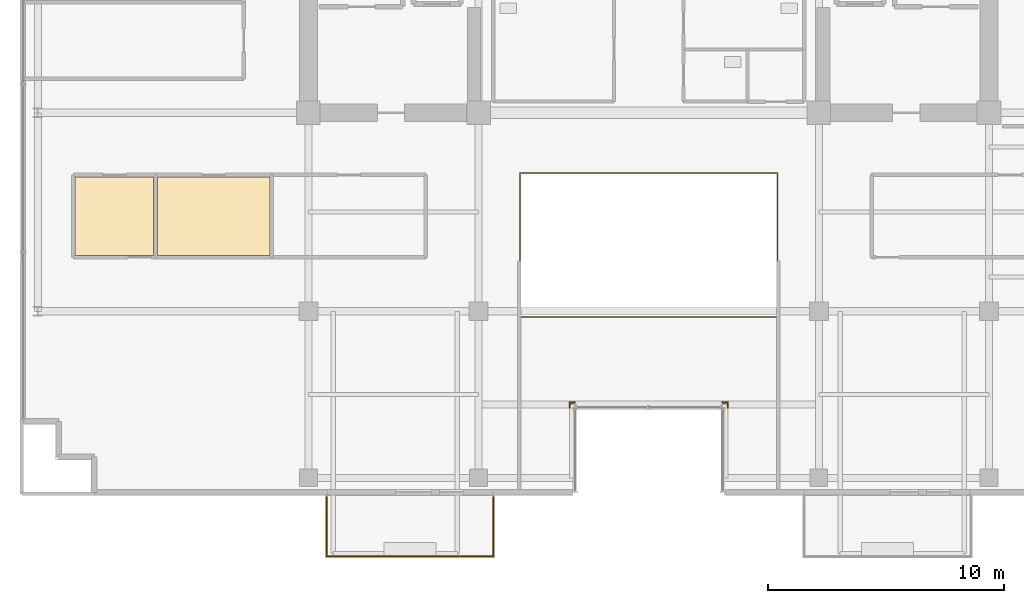
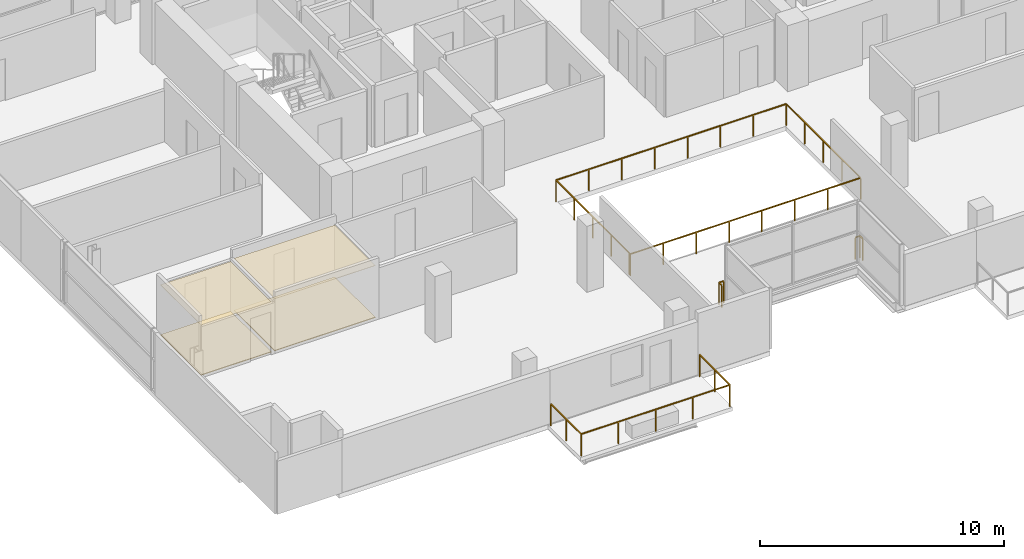
# One storey, part 22 of 25: 6 railings, 4 coverings.
"""IFC4 building model written with IfcOpenShell, lengths in metres."""

from ifc_helpers import new_model, si_unit, direction, frame, origin, origin_2d, place, context, subcontext, project, spatial, polyline, rectangle, outline, extrude, material, layer, layer_set, type_object, element, save


model = new_model("IFC4")

# Units and contexts
model_context = context("Model", 3, precision=1e-05, world=origin(), true_north=direction((0.0, 1.0)))
body_context = subcontext(model_context, "Body", "Model", "MODEL_VIEW")
ifc_project = project(units=[si_unit("LENGTHUNIT", "METRE"), si_unit("AREAUNIT", "SQUARE_METRE"), si_unit("VOLUMEUNIT", "CUBIC_METRE"), si_unit("PLANEANGLEUNIT", "RADIAN"), si_unit("MASSUNIT", "GRAM", prefix="KILO")], contexts=[model_context])

# Site, building, storey
site_placement = place(None, origin())
site = spatial("IfcSite", under=ifc_project, at=site_placement, CompositionType="ELEMENT")
building_placement = place(site_placement, origin())
building = spatial("IfcBuilding", under=site, at=building_placement, Name="Zarnakvel Exchange Tower", CompositionType="ELEMENT")
storey_placement = place(building_placement, frame((0.0, 0.0, 169.300048828125)))
storey = spatial("IfcBuildingStorey", under=building, at=storey_placement, Name="L47", CompositionType="ELEMENT", Elevation=169.300048828125)

# Coverings
ifc_material_1 = material(Name="Perforated Bronze Acoustic Metal Ceiling", Category="aluminium")
ifc_layer_1 = layer(ifc_material_1, 0.02001953125)
ifc_layer_set_1 = layer_set([ifc_layer_1], Name="Perforated Bronze Acoustic Metal Ceiling")
covering_type_1 = type_object("IfcCoveringType", Name="CLG-01", PredefinedType="CEILING", material=ifc_layer_set_1)
covering_1_placement = place(storey_placement, frame((0.0, 0.0, 2.5048828125)))
element("IfcCovering", 1, at=covering_1_placement, inside=storey, type_object=covering_type_1, Name="L47 Suspended Acoustic Ceiling (Quant Research Office)", PredefinedType="CEILING", context=body_context, shape_type="SweptSolid", body=[
    extrude(outline(polyline([(-24.2685546875, -3.909912109375), (-20.94775390625, -3.909912109375), (-20.94775390625, -7.239990234375), (-24.2685546875, -7.239990234375), (-24.2685546875, -3.909912109375)])), origin(), (0.0, 0.0, 1.0), 0.02001953125),
])
covering_2_placement = place(storey_placement, frame((0.0, 0.0, 2.60498046875)))
element("IfcCovering", 2, at=covering_2_placement, inside=storey, type_object=covering_type_1, Name="L47 Suspended Acoustic Ceiling (Conference Room)", PredefinedType="CEILING", context=body_context, shape_type="SweptSolid", body=[
    extrude(outline(polyline([(-20.78759765625, -3.909912109375), (-16.02294921875, -3.909912109375), (-16.02294921875, -7.239990234375), (-20.78759765625, -7.239990234375), (-20.78759765625, -3.909912109375)])), origin(), (0.0, 0.0, 1.0), 0.02001953125),
])
ifc_material_2 = material(Name="Heavy-Duty Raised Access Floor Panel", Category="steel")
ifc_layer_2 = layer(ifc_material_2, 0.034912109375)
ifc_layer_set_2 = layer_set([ifc_layer_2], Name="Heavy-Duty Raised Access Floor Panel")
covering_type_2 = type_object("IfcCoveringType", Name="FLR-02", PredefinedType="FLOORING", material=ifc_layer_set_2)
covering_3_placement = place(storey_placement, origin())
element("IfcCovering", 3, at=covering_3_placement, inside=storey, type_object=covering_type_2, Name="L47 Floor Finish (Quant Research Office)", PredefinedType="FLOORING", context=body_context, shape_type="SweptSolid", body=[
    extrude(outline(polyline([(-24.2685546875, -3.909912109375), (-20.94775390625, -3.909912109375), (-20.94775390625, -7.239990234375), (-24.2685546875, -7.239990234375), (-24.2685546875, -3.909912109375)])), origin(), (0.0, 0.0, 1.0), 0.034912109375),
])
covering_4_placement = place(storey_placement, origin())
element("IfcCovering", 4, at=covering_4_placement, inside=storey, type_object=covering_type_2, Name="L47 Floor Finish (Conference Room)", PredefinedType="FLOORING", context=body_context, shape_type="SweptSolid", body=[
    extrude(outline(polyline([(-20.78759765625, -3.909912109375), (-16.02294921875, -3.909912109375), (-16.02294921875, -7.239990234375), (-20.78759765625, -7.239990234375), (-20.78759765625, -3.909912109375)])), origin(), (0.0, 0.0, 1.0), 0.034912109375),
])

# Railings
ifc_material_3 = material(Name="Architectural Bronze Anodised Aluminium", Category="aluminium")
railing_type_1 = type_object("IfcRailingType", Name="GR-02", PredefinedType="GUARDRAIL", material=ifc_material_3)
railing_1_placement = place(storey_placement, frame((-13.6201171875, -17.47998046875, -0.03515625)))
element("IfcRailing", 5, at=railing_1_placement, inside=storey, type_object=railing_type_1, Name="L47 Balcony Guardrail BAL-L47-SW", PredefinedType="GUARDRAIL", context=body_context, shape_type="SweptSolid", body=[
    extrude(rectangle(XDim=0.048095703125, YDim=0.048095703125, at=origin_2d()), frame((0.0, 0.0, 1.09619140625), z_axis=(0.0, -1.0, 0.0), x_axis=(1.0, 0.0, 0.0)), (0.0, 0.0, 1.0), 2.489990234375),
    extrude(rectangle(XDim=0.048095703125, YDim=0.048095703125, at=origin_2d()), frame((0.0, -2.489990234375, 1.09619140625), z_axis=(1.0, 0.0, 0.0), x_axis=(0.0, 1.0, 0.0)), (0.0, 0.0, 1.0), 7.0400390625),
    extrude(rectangle(XDim=0.048095703125, YDim=0.048095703125, at=origin_2d()), frame((7.0400390625, -2.489990234375, 1.09619140625), z_axis=(0.0, 1.0, 0.0), x_axis=(-1.0, 0.0, 0.0)), (0.0, 0.0, 1.0), 2.489990234375),
    extrude(rectangle(XDim=0.0419921875, YDim=0.0419921875, at=origin_2d()), origin(), (0.0, 0.0, 1.0), 1.072021484375),
    extrude(rectangle(XDim=0.0419921875, YDim=0.0419921875, at=origin_2d()), frame((0.0, -1.2451171875, 0.0)), (0.0, 0.0, 1.0), 1.072021484375),
    extrude(rectangle(XDim=0.0419921875, YDim=0.0419921875, at=origin_2d()), frame((0.0, -2.489990234375, 0.0)), (0.0, 0.0, 1.0), 1.072021484375),
    extrude(rectangle(XDim=0.0419921875, YDim=0.0419921875, at=origin_2d()), frame((1.760009765625, -2.489990234375, 0.0)), (0.0, 0.0, 1.0), 1.072021484375),
    extrude(rectangle(XDim=0.0419921875, YDim=0.0419921875, at=origin_2d()), frame((3.52001953125, -2.489990234375, 0.0)), (0.0, 0.0, 1.0), 1.072021484375),
    extrude(rectangle(XDim=0.0419921875, YDim=0.0419921875, at=origin_2d()), frame((5.280029296875, -2.489990234375, 0.0)), (0.0, 0.0, 1.0), 1.072021484375),
    extrude(rectangle(XDim=0.0419921875, YDim=0.0419921875, at=origin_2d()), frame((7.0400390625, -2.489990234375, 0.0)), (0.0, 0.0, 1.0), 1.072021484375),
    extrude(rectangle(XDim=0.0419921875, YDim=0.0419921875, at=origin_2d()), frame((7.0400390625, -1.2451171875, 0.0)), (0.0, 0.0, 1.0), 1.072021484375),
    extrude(rectangle(XDim=0.0419921875, YDim=0.0419921875, at=origin_2d()), frame((7.0400390625, 0.0, 0.0)), (0.0, 0.0, 1.0), 1.072021484375),
])
railing_2_placement = place(storey_placement, frame((3.340087890625, -13.679931640625, 0.0)))
element("IfcRailing", 6, at=railing_2_placement, inside=storey, type_object=railing_type_1, Name="L47 Corner Spandrel Balustrade #17", PredefinedType="GUARDRAIL", context=body_context, shape_type="SweptSolid", body=[
    extrude(rectangle(XDim=0.048095703125, YDim=0.048095703125, at=origin_2d()), frame((0.0, 0.0, 1.09619140625), z_axis=(0.0, 1.0, 0.0), x_axis=(-1.0, 0.0, 0.0)), (0.0, 0.0, 1.0), 0.219970703125),
    extrude(rectangle(XDim=0.0419921875, YDim=0.0419921875, at=origin_2d()), origin(), (0.0, 0.0, 1.0), 1.072021484375),
    extrude(rectangle(XDim=0.0419921875, YDim=0.0419921875, at=origin_2d()), frame((0.0, 0.219970703125, 0.0)), (0.0, 0.0, 1.0), 1.072021484375),
])
for number, where, name in (
    (7, (3.340087890625, -13.4599609375, 0.0), "L47 Corner Spandrel Balustrade #18"),
    (8, (-3.1201171875, -13.4599609375, 0.0), "L47 Corner Spandrel Balustrade #19"),
):
    element("IfcRailing", number, at=place(storey_placement, frame(where)), inside=storey, type_object=railing_type_1, Name=name, PredefinedType="GUARDRAIL", context=body_context, shape_type="SweptSolid", body=[
        extrude(rectangle(XDim=0.048095703125, YDim=0.048095703125, at=origin_2d()), frame((0.0, 0.0, 1.09619140625), z_axis=(-1.0, 0.0, 0.0), x_axis=(0.0, -1.0, 0.0)), (0.0, 0.0, 1.0), 0.219970703125),
        extrude(rectangle(XDim=0.0419921875, YDim=0.0419921875, at=origin_2d()), origin(), (0.0, 0.0, 1.0), 1.072021484375),
        extrude(rectangle(XDim=0.0419921875, YDim=0.0419921875, at=origin_2d()), frame((-0.219970703125, 0.0, 0.0)), (0.0, 0.0, 1.0), 1.072021484375),
    ])
railing_3_placement = place(storey_placement, frame((-3.340087890625, -13.4599609375, 0.0)))
element("IfcRailing", 9, at=railing_3_placement, inside=storey, type_object=railing_type_1, Name="L47 Corner Spandrel Balustrade #20", PredefinedType="GUARDRAIL", context=body_context, shape_type="SweptSolid", body=[
    extrude(rectangle(XDim=0.048095703125, YDim=0.048095703125, at=origin_2d()), frame((0.0, 0.0, 1.09619140625), z_axis=(0.0, -1.0, 0.0), x_axis=(1.0, 0.0, 0.0)), (0.0, 0.0, 1.0), 0.219970703125),
    extrude(rectangle(XDim=0.0419921875, YDim=0.0419921875, at=origin_2d()), origin(), (0.0, 0.0, 1.0), 1.072021484375),
    extrude(rectangle(XDim=0.0419921875, YDim=0.0419921875, at=origin_2d()), frame((0.0, -0.219970703125, 0.0)), (0.0, 0.0, 1.0), 1.072021484375),
])
railing_type_2 = type_object("IfcRailingType", Name="GR-03", PredefinedType="GUARDRAIL", material=ifc_material_3)
railing_4_placement = place(storey_placement, frame((-5.449951171875, -9.85009765625, 0.0)))
element("IfcRailing", 10, at=railing_4_placement, inside=storey, type_object=railing_type_2, Name="L47 Atrium Void Perimeter Balustrade", PredefinedType="GUARDRAIL", context=body_context, shape_type="SweptSolid", body=[
    extrude(rectangle(XDim=0.048095703125, YDim=0.048095703125, at=origin_2d()), frame((0.0, 0.0, 1.076171875), z_axis=(1.0, 0.0, 0.0), x_axis=(0.0, 1.0, 0.0)), (0.0, 0.0, 1.0), 10.89990234375),
    extrude(rectangle(XDim=0.048095703125, YDim=0.048095703125, at=origin_2d()), frame((10.89990234375, 0.0, 1.076171875), z_axis=(0.0, 1.0, 0.0), x_axis=(-1.0, 0.0, 0.0)), (0.0, 0.0, 1.0), 6.10009765625),
    extrude(rectangle(XDim=0.048095703125, YDim=0.048095703125, at=origin_2d()), frame((10.89990234375, 6.10009765625, 1.076171875), z_axis=(-1.0, 0.0, 0.0), x_axis=(0.0, -1.0, 0.0)), (0.0, 0.0, 1.0), 10.89990234375),
    extrude(rectangle(XDim=0.048095703125, YDim=0.048095703125, at=origin_2d()), frame((0.0, 6.10009765625, 1.076171875), z_axis=(0.0, -1.0, 0.0), x_axis=(1.0, 0.0, 0.0)), (0.0, 0.0, 1.0), 6.02001953125),
    extrude(rectangle(XDim=0.0419921875, YDim=0.0419921875, at=origin_2d()), origin(), (0.0, 0.0, 1.0), 1.052001953125),
    extrude(rectangle(XDim=0.0419921875, YDim=0.0419921875, at=origin_2d()), frame((1.55712890625, 0.0, 0.0)), (0.0, 0.0, 1.0), 1.052001953125),
    extrude(rectangle(XDim=0.0419921875, YDim=0.0419921875, at=origin_2d()), frame((3.1142578125, 0.0, 0.0)), (0.0, 0.0, 1.0), 1.052001953125),
    extrude(rectangle(XDim=0.0419921875, YDim=0.0419921875, at=origin_2d()), frame((4.67138671875, 0.0, 0.0)), (0.0, 0.0, 1.0), 1.052001953125),
    extrude(rectangle(XDim=0.0419921875, YDim=0.0419921875, at=origin_2d()), frame((6.228515625, 0.0, 0.0)), (0.0, 0.0, 1.0), 1.052001953125),
    extrude(rectangle(XDim=0.0419921875, YDim=0.0419921875, at=origin_2d()), frame((7.78564453125, 0.0, 0.0)), (0.0, 0.0, 1.0), 1.052001953125),
    extrude(rectangle(XDim=0.0419921875, YDim=0.0419921875, at=origin_2d()), frame((9.3427734375, 0.0, 0.0)), (0.0, 0.0, 1.0), 1.052001953125),
    extrude(rectangle(XDim=0.0419921875, YDim=0.0419921875, at=origin_2d()), frame((10.89990234375, 0.0, 0.0)), (0.0, 0.0, 1.0), 1.052001953125),
    extrude(rectangle(XDim=0.0419921875, YDim=0.0419921875, at=origin_2d()), frame((10.89990234375, 1.52490234375, 0.0)), (0.0, 0.0, 1.0), 1.052001953125),
    extrude(rectangle(XDim=0.0419921875, YDim=0.0419921875, at=origin_2d()), frame((10.89990234375, 3.050048828125, 0.0)), (0.0, 0.0, 1.0), 1.052001953125),
    extrude(rectangle(XDim=0.0419921875, YDim=0.0419921875, at=origin_2d()), frame((10.89990234375, 4.5751953125, 0.0)), (0.0, 0.0, 1.0), 1.052001953125),
    extrude(rectangle(XDim=0.0419921875, YDim=0.0419921875, at=origin_2d()), frame((10.89990234375, 6.10009765625, 0.0)), (0.0, 0.0, 1.0), 1.052001953125),
    extrude(rectangle(XDim=0.0419921875, YDim=0.0419921875, at=origin_2d()), frame((9.3427734375, 6.10009765625, 0.0)), (0.0, 0.0, 1.0), 1.052001953125),
    extrude(rectangle(XDim=0.0419921875, YDim=0.0419921875, at=origin_2d()), frame((7.78564453125, 6.10009765625, 0.0)), (0.0, 0.0, 1.0), 1.052001953125),
    extrude(rectangle(XDim=0.0419921875, YDim=0.0419921875, at=origin_2d()), frame((6.228515625, 6.10009765625, 0.0)), (0.0, 0.0, 1.0), 1.052001953125),
    extrude(rectangle(XDim=0.0419921875, YDim=0.0419921875, at=origin_2d()), frame((4.67138671875, 6.10009765625, 0.0)), (0.0, 0.0, 1.0), 1.052001953125),
    extrude(rectangle(XDim=0.0419921875, YDim=0.0419921875, at=origin_2d()), frame((3.1142578125, 6.10009765625, 0.0)), (0.0, 0.0, 1.0), 1.052001953125),
    extrude(rectangle(XDim=0.0419921875, YDim=0.0419921875, at=origin_2d()), frame((1.55712890625, 6.10009765625, 0.0)), (0.0, 0.0, 1.0), 1.052001953125),
    extrude(rectangle(XDim=0.0419921875, YDim=0.0419921875, at=origin_2d()), frame((0.0, 6.10009765625, 0.0)), (0.0, 0.0, 1.0), 1.052001953125),
    extrude(rectangle(XDim=0.0419921875, YDim=0.0419921875, at=origin_2d()), frame((0.0, 4.59521484375, 0.0)), (0.0, 0.0, 1.0), 1.052001953125),
    extrude(rectangle(XDim=0.0419921875, YDim=0.0419921875, at=origin_2d()), frame((0.0, 3.090087890625, 0.0)), (0.0, 0.0, 1.0), 1.052001953125),
    extrude(rectangle(XDim=0.0419921875, YDim=0.0419921875, at=origin_2d()), frame((0.0, 1.5849609375, 0.0)), (0.0, 0.0, 1.0), 1.052001953125),
    extrude(rectangle(XDim=0.0419921875, YDim=0.0419921875, at=origin_2d()), frame((0.0, 0.080078125, 0.0)), (0.0, 0.0, 1.0), 1.052001953125),
])

save(model, "model.ifc")
